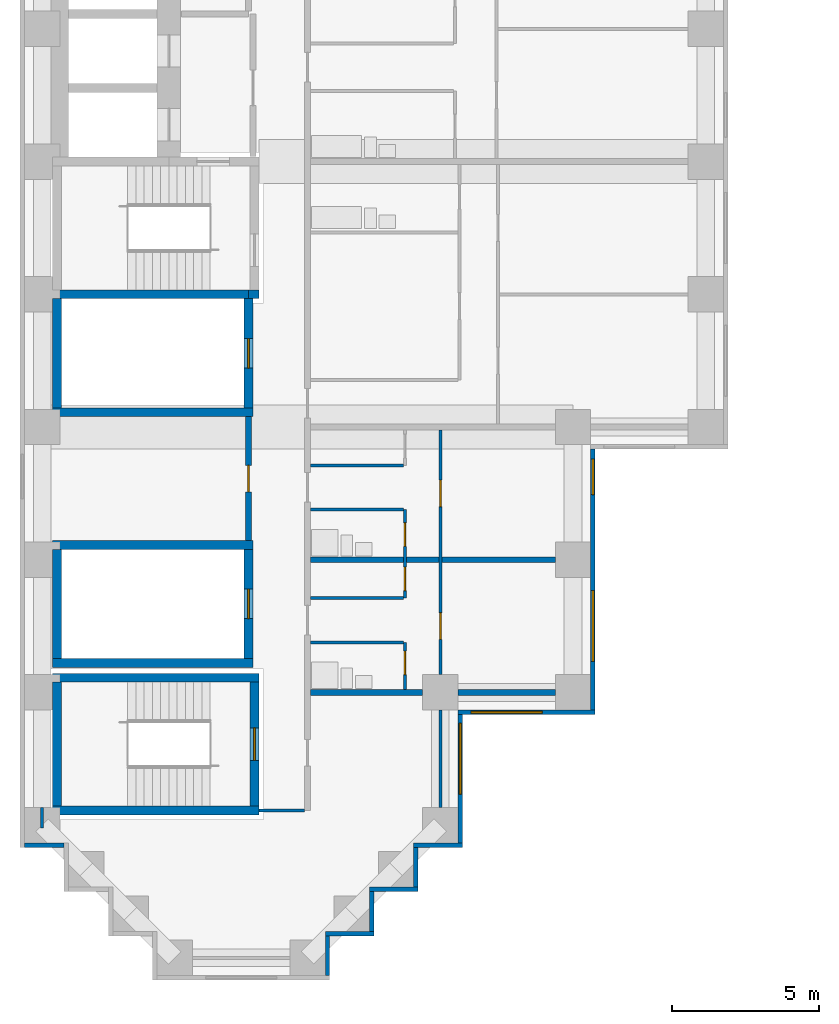
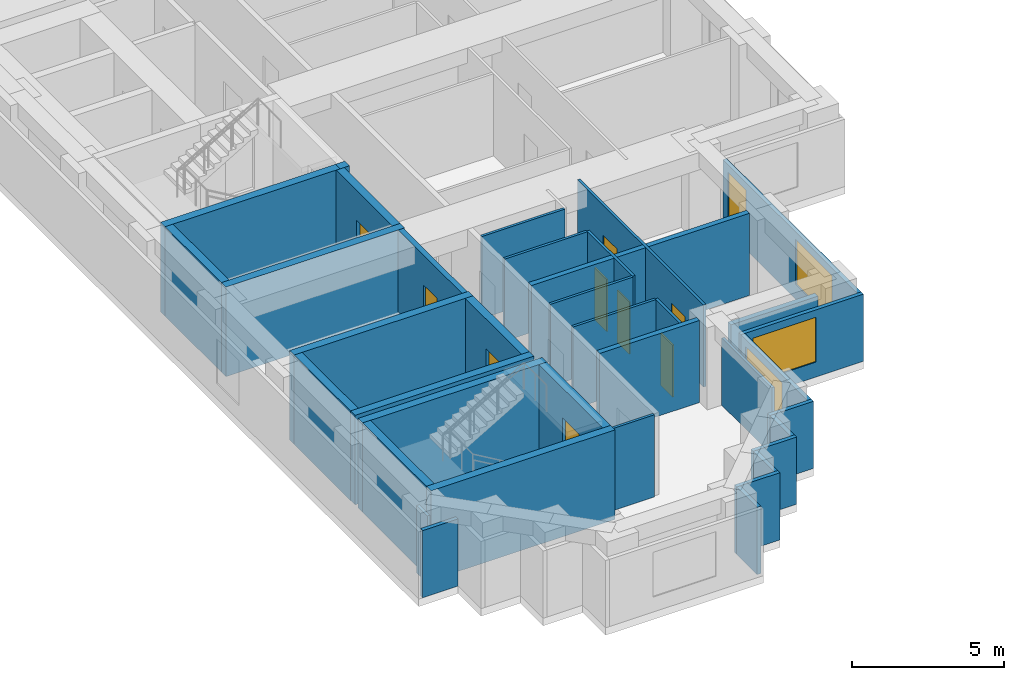
# One storey, part 4 of 14: 37 walls, 9 doors, 4 windows, 13 openings.
"""IFC4 building model written with IfcOpenShell, lengths in metres."""

from ifc_helpers import new_model, si_unit, direction, frame, frame_2d, origin, place, context, subcontext, project, spatial, rectangle, extrude, material, layer, layer_set, type_object, element, fill, save


model = new_model("IFC4")

# Units and contexts
model_context = context("Model", 3, precision=1e-05, world=origin(), true_north=direction((0.0, 1.0)))
body_context = subcontext(model_context, "Body", "Model", "MODEL_VIEW")
ifc_project = project(units=[si_unit("LENGTHUNIT", "METRE"), si_unit("AREAUNIT", "SQUARE_METRE"), si_unit("VOLUMEUNIT", "CUBIC_METRE"), si_unit("PLANEANGLEUNIT", "RADIAN"), si_unit("MASSUNIT", "GRAM", prefix="KILO")], contexts=[model_context])

# Site, building, storey
site_placement = place(None, origin())
site = spatial("IfcSite", under=ifc_project, at=site_placement, CompositionType="ELEMENT")
building_placement = place(site_placement, origin())
building = spatial("IfcBuilding", under=site, at=building_placement, Name="Firuza Court", CompositionType="ELEMENT")
storey_placement = place(building_placement, frame((0.0, 0.0, 32.60009765625)))
storey = spatial("IfcBuildingStorey", under=building, at=storey_placement, Name="L06", CompositionType="ELEMENT", Elevation=32.60009765625)

# Walls
ifc_material_1 = material(Name="Moisture-resistant gypsum board partition")
ifc_layer_1 = layer(ifc_material_1, 0.10009765625)
ifc_layer_set_1 = layer_set([ifc_layer_1], Name="Moisture-resistant gypsum board partition")
wall_type_1 = type_object("IfcWallType", Name="Bathroom partition 100", PredefinedType="PLUMBINGWALL", material=ifc_layer_set_1)
for number, where, z_axis, x_axis, name in (
    (1, (9.10009765625, 10.699951171875, 0.0), (0.0, 0.0, 1.0), (1.0, 0.0, 0.0), "Bathroom partition 100 L06"),
    (2, (9.10009765625, 15.199951171875, 0.0), (0.0, 0.0, 1.0), (1.0, 0.0, 0.0), "Bathroom partition 100 L06"),
):
    element("IfcWall", number, at=place(storey_placement, frame(where, z_axis=z_axis, x_axis=x_axis)), inside=storey, type_object=wall_type_1, Name=name, PredefinedType="PLUMBINGWALL", context=body_context, shape_type="SweptSolid", body=[
        extrude(rectangle(XDim=3.14990234375, YDim=0.10009765625, at=frame_2d((1.574951171875, 0.0))), origin(), (0.0, 0.0, 1.0), 3.2998046875),
    ])
ifc_material_2 = material(Name="Concrete C60/75", Category="concrete")
ifc_layer_2 = layer(ifc_material_2, 0.300048828125)
ifc_layer_set_2 = layer_set([ifc_layer_2], Name="Concrete C60/75")
wall_type_2 = type_object("IfcWallType", Name="Core wall 300 C60/75", PredefinedType="SHEAR", material=ifc_layer_set_2)
for number, where, z_axis, x_axis, name in (
    (3, (0.35009765625, 5.0, -0.300048828125), (0.0, 0.0, 1.0), (1.0, 0.0, 0.0), "Core wall stair L06"),
    (4, (0.35009765625, 9.5, -0.300048828125), (0.0, 0.0, 1.0), (1.0, 0.0, 0.0), "Core wall stair L06"),
):
    element("IfcWall", number, at=place(storey_placement, frame(where, z_axis=z_axis, x_axis=x_axis)), inside=storey, type_object=wall_type_2, Name=name, PredefinedType="SHEAR", context=body_context, shape_type="SweptSolid", body=[
        extrude(rectangle(XDim=7.0, YDim=0.300048828125, at=frame_2d((3.5, 0.0))), origin(), (0.0, 0.0, 1.0), 3.599853515625),
    ])
for number, where, z_axis, x_axis, name in (
    (5, (0.35009765625, 10.0, -0.300048828125), (0.0, 0.0, 1.0), (1.0, 0.0, 0.0), "Core wall riser L06"),
    (6, (0.35009765625, 14.0, -0.300048828125), (0.0, 0.0, 1.0), (1.0, 0.0, 0.0), "Core wall riser L06"),
    (7, (0.35009765625, 18.5, -0.300048828125), (0.0, 0.0, 1.0), (1.0, 0.0, 0.0), "Core wall riser L06"),
):
    element("IfcWall", number, at=place(storey_placement, frame(where, z_axis=z_axis, x_axis=x_axis)), inside=storey, type_object=wall_type_2, Name=name, PredefinedType="SHEAR", context=body_context, shape_type="SweptSolid", body=[
        extrude(rectangle(XDim=6.7998046875, YDim=0.300048828125, at=frame_2d((3.39990234375, 0.0))), origin(), (0.0, 0.0, 1.0), 3.599853515625),
    ])
wall_1_placement = place(storey_placement, frame((0.35009765625, 22.5, -0.300048828125), z_axis=(0.0, 0.0, 1.0), x_axis=(1.0, 0.0, 0.0)))
element("IfcWall", 8, at=wall_1_placement, inside=storey, type_object=wall_type_2, Name="Core wall riser L06", PredefinedType="SHEAR", context=body_context, shape_type="SweptSolid", body=[
    extrude(rectangle(XDim=6.64990234375, YDim=0.300048828125, at=frame_2d((3.324951171875, 0.0))), origin(), (0.0, 0.0, 1.0), 3.599853515625),
])
wall_2_placement = place(storey_placement, frame((0.5, 5.14990234375, -0.300048828125), z_axis=(0.0, 0.0, 1.0), x_axis=(0.0, 1.0, 0.0)))
element("IfcWall", 9, at=wall_2_placement, inside=storey, type_object=wall_type_2, Name="Core wall stair L06", PredefinedType="SHEAR", context=body_context, shape_type="SweptSolid", body=[
    extrude(rectangle(XDim=4.2001953125, YDim=0.300048828125, at=frame_2d((2.10009765625, 0.0))), origin(), (0.0, 0.0, 1.0), 3.599853515625),
])
for number, where, z_axis, x_axis, name in (
    (10, (0.5, 10.14990234375, -0.300048828125), (0.0, 0.0, 1.0), (0.0, 1.0, 0.0), "Core wall riser L06"),
    (11, (0.5, 18.64990234375, -0.300048828125), (0.0, 0.0, 1.0), (0.0, 1.0, 0.0), "Core wall riser L06"),
):
    element("IfcWall", number, at=place(storey_placement, frame(where, z_axis=z_axis, x_axis=x_axis)), inside=storey, type_object=wall_type_2, Name=name, PredefinedType="SHEAR", context=body_context, shape_type="SweptSolid", body=[
        extrude(rectangle(XDim=3.7001953125, YDim=0.300048828125, at=frame_2d((1.85009765625, 0.0))), origin(), (0.0, 0.0, 1.0), 3.599853515625),
    ])

# Wall, opening, door
wall_3_placement = place(storey_placement, frame((7.0, 10.14990234375, -0.300048828125), z_axis=(0.0, 0.0, 1.0), x_axis=(0.0, 1.0, 0.0)))
wall_3 = element("IfcWall", 12, at=wall_3_placement, inside=storey, type_object=wall_type_2, Name="Core wall riser L06", PredefinedType="SHEAR", context=body_context, shape_type="SweptSolid", body=[
    extrude(rectangle(XDim=3.7001953125, YDim=0.300048828125, at=frame_2d((1.85009765625, 0.0))), origin(), (0.0, 0.0, 1.0), 3.599853515625),
])
opening_1_placement = place(wall_3_placement, frame((1.35009765625, 0.0, 0.300048828125)))
opening_1 = element("IfcOpeningElement", 13, at=opening_1_placement, cuts=wall_3, Name="Opening D06012", PredefinedType="OPENING", context=body_context, shape_type="SweptSolid", body=[
    extrude(rectangle(XDim=1.0, YDim=2.10009765625, at=frame_2d((0.5, 1.050048828125))), frame((0.0, 0.162109375, 0.0), z_axis=(0.0, -1.0, 0.0), x_axis=(1.0, 0.0, 0.0)), (0.0, 0.0, 1.0), 0.323974609375),
])
ifc_material_3 = material(Name="Timber door leaf in hardwood frame", Category="wood")
door_type_1 = type_object("IfcDoorType", Name="Riser door 1000", OperationType="SINGLE_SWING_LEFT", PredefinedType="DOOR", material=ifc_material_3)
door_1_placement = place(opening_1_placement, origin())
door_1 = element("IfcDoor", 14, at=door_1_placement, inside=storey, type_object=door_type_1, Name="Riser door R4", OperationType="SINGLE_SWING_LEFT", OverallHeight=2.10009765625, OverallWidth=1.0, PredefinedType="DOOR", context=body_context, shape_type="SweptSolid", body=[
    extrude(rectangle(XDim=1.0, YDim=2.10009765625, at=frame_2d((0.5, 1.050048828125))), frame((0.0, 0.02490234375, 0.0), z_axis=(0.0, -1.0, 0.0), x_axis=(1.0, 0.0, 0.0)), (0.0, 0.0, 1.0), 0.050048828125),
])
fill(opening_1, door_1)

wall_4_placement = place(storey_placement, frame((7.0, 18.64990234375, -0.300048828125), z_axis=(0.0, 0.0, 1.0), x_axis=(0.0, 1.0, 0.0)))
wall_4 = element("IfcWall", 15, at=wall_4_placement, inside=storey, type_object=wall_type_2, Name="Core wall riser L06", PredefinedType="SHEAR", context=body_context, shape_type="SweptSolid", body=[
    extrude(rectangle(XDim=3.7001953125, YDim=0.300048828125, at=frame_2d((1.85009765625, 0.0))), origin(), (0.0, 0.0, 1.0), 3.599853515625),
])
opening_2_placement = place(wall_4_placement, frame((1.35009765625, 0.0, 0.300048828125)))
opening_2 = element("IfcOpeningElement", 16, at=opening_2_placement, cuts=wall_4, Name="Opening D06010", PredefinedType="OPENING", context=body_context, shape_type="SweptSolid", body=[
    extrude(rectangle(XDim=1.0, YDim=2.10009765625, at=frame_2d((0.5, 1.050048828125))), frame((0.0, 0.162109375, 0.0), z_axis=(0.0, -1.0, 0.0), x_axis=(1.0, 0.0, 0.0)), (0.0, 0.0, 1.0), 0.323974609375),
])
door_2_placement = place(opening_2_placement, origin())
door_2 = element("IfcDoor", 17, at=door_2_placement, inside=storey, type_object=door_type_1, Name="Riser door R1", OperationType="SINGLE_SWING_LEFT", OverallHeight=2.10009765625, OverallWidth=1.0, PredefinedType="DOOR", context=body_context, shape_type="SweptSolid", body=[
    extrude(rectangle(XDim=1.0, YDim=2.10009765625, at=frame_2d((0.5, 1.050048828125))), frame((0.0, 0.02490234375, 0.0), z_axis=(0.0, -1.0, 0.0), x_axis=(1.0, 0.0, 0.0)), (0.0, 0.0, 1.0), 0.050048828125),
])
fill(opening_2, door_2)

# Wall
wall_5_placement = place(storey_placement, frame((7.0, 22.5, -0.300048828125), z_axis=(0.0, 0.0, 1.0), x_axis=(1.0, 0.0, 0.0)))
element("IfcWall", 18, at=wall_5_placement, inside=storey, type_object=wall_type_2, Name="Core wall stair L06", PredefinedType="SHEAR", context=body_context, shape_type="SweptSolid", body=[
    extrude(rectangle(XDim=0.35009765625, YDim=0.300048828125, at=frame_2d((0.175048828125, 0.0))), origin(), (0.0, 0.0, 1.0), 3.599853515625),
])

# Wall, opening, door
wall_6_placement = place(storey_placement, frame((7.199951171875, 5.14990234375, -0.300048828125), z_axis=(0.0, 0.0, 1.0), x_axis=(0.0, 1.0, 0.0)))
wall_6 = element("IfcWall", 19, at=wall_6_placement, inside=storey, type_object=wall_type_2, Name="Core wall stair L06", PredefinedType="SHEAR", context=body_context, shape_type="SweptSolid", body=[
    extrude(rectangle(XDim=4.2001953125, YDim=0.300048828125, at=frame_2d((2.10009765625, 0.0))), origin(), (0.0, 0.0, 1.0), 3.599853515625),
])
opening_3_placement = place(wall_6_placement, frame((1.550048828125, 0.0, 0.300048828125)))
opening_3 = element("IfcOpeningElement", 20, at=opening_3_placement, cuts=wall_6, Name="Opening D06018", PredefinedType="OPENING", context=body_context, shape_type="SweptSolid", body=[
    extrude(rectangle(XDim=1.10009765625, YDim=2.10009765625, at=frame_2d((0.550048828125, 1.050048828125))), frame((0.0, 0.162109375, 0.0), z_axis=(0.0, -1.0, 0.0), x_axis=(1.0, 0.0, 0.0)), (0.0, 0.0, 1.0), 0.323974609375),
])
ifc_material_4 = material(Name="Timber door leaf in hardwood frame", Category="wood")
door_type_2 = type_object("IfcDoorType", Name="Stair door 1100", OperationType="SINGLE_SWING_LEFT", PredefinedType="DOOR", material=ifc_material_4)
door_3_placement = place(opening_3_placement, origin())
door_3 = element("IfcDoor", 21, at=door_3_placement, inside=storey, type_object=door_type_2, Name="Stair door S5", OperationType="SINGLE_SWING_LEFT", OverallHeight=2.10009765625, OverallWidth=1.10009765625, PredefinedType="DOOR", context=body_context, shape_type="SweptSolid", body=[
    extrude(rectangle(XDim=1.10009765625, YDim=2.10009765625, at=frame_2d((0.550048828125, 1.050048828125))), frame((0.0, 0.02490234375, 0.0), z_axis=(0.0, -1.0, 0.0), x_axis=(1.0, 0.0, 0.0)), (0.0, 0.0, 1.0), 0.050048828125),
])
fill(opening_3, door_3)

ifc_material_5 = material(Name="Blockwork, plastered both sides", Category="masonry")
ifc_layer_3 = layer(ifc_material_5, 0.199951171875)
ifc_layer_set_3 = layer_set([ifc_layer_3], Name="Blockwork, plastered both sides")
wall_type_3 = type_object("IfcWallType", Name="Corridor wall 200", PredefinedType="PARTITIONING", material=ifc_layer_set_3)
wall_7_placement = place(storey_placement, frame((7.0, 14.14990234375, 0.0), z_axis=(0.0, 0.0, 1.0), x_axis=(0.0, 1.0, 0.0)))
wall_7 = element("IfcWall", 22, at=wall_7_placement, inside=storey, type_object=wall_type_3, Name="Corridor wall 200 L06", PredefinedType="PARTITIONING", context=body_context, shape_type="SweptSolid", body=[
    extrude(rectangle(XDim=4.2001953125, YDim=0.199951171875, at=frame_2d((2.10009765625, 0.0))), origin(), (0.0, 0.0, 1.0), 3.2998046875),
])
opening_4_placement = place(wall_7_placement, frame((1.64990234375, 0.0, 0.0)))
opening_4 = element("IfcOpeningElement", 23, at=opening_4_placement, cuts=wall_7, Name="Opening D06030", PredefinedType="OPENING", context=body_context, shape_type="SweptSolid", body=[
    extrude(rectangle(XDim=0.89990234375, YDim=2.10009765625, at=frame_2d((0.449951171875, 1.050048828125))), frame((0.0, 0.11181640625, 0.0), z_axis=(0.0, -1.0, 0.0), x_axis=(1.0, 0.0, 0.0)), (0.0, 0.0, 1.0), 0.223876953125),
])
ifc_material_6 = material(Name="Timber door leaf in hardwood frame", Category="wood")
door_type_3 = type_object("IfcDoorType", Name="Room door 900 EI 30", OperationType="SINGLE_SWING_LEFT", PredefinedType="DOOR", material=ifc_material_6)
door_4_placement = place(opening_4_placement, origin())
door_4 = element("IfcDoor", 24, at=door_4_placement, inside=storey, type_object=door_type_3, Name="Meeting room door", OperationType="SINGLE_SWING_LEFT", OverallHeight=2.10009765625, OverallWidth=0.89990234375, PredefinedType="DOOR", context=body_context, shape_type="SweptSolid", body=[
    extrude(rectangle(XDim=0.89990234375, YDim=2.10009765625, at=frame_2d((0.449951171875, 1.050048828125))), frame((0.0, 0.02490234375, 0.0), z_axis=(0.0, -1.0, 0.0), x_axis=(1.0, 0.0, 0.0)), (0.0, 0.0, 1.0), 0.050048828125),
])
fill(opening_4, door_4)

# Walls
ifc_material_7 = material(Name="Timber stud partition, plasterboard both sides", Category="wood")
ifc_layer_4 = layer(ifc_material_7, 0.10009765625)
ifc_layer_set_4 = layer_set([ifc_layer_4], Name="Timber stud partition, plasterboard both sides")
wall_type_4 = type_object("IfcWallType", Name="Partition wall 100", PredefinedType="PARTITIONING", material=ifc_layer_set_4)
wall_8_placement = place(storey_placement, frame((0.0, 4.39990234375, 0.0), z_axis=(0.0, 0.0, 1.0), x_axis=(0.0, 1.0, 0.0)))
element("IfcWall", 25, at=wall_8_placement, inside=storey, type_object=wall_type_4, Name="Partition wall 100 L06", PredefinedType="PARTITIONING", context=body_context, shape_type="SweptSolid", body=[
    extrude(rectangle(XDim=0.7001953125, YDim=0.10009765625, at=frame_2d((0.35009765625, 0.0))), origin(), (0.0, 0.0, 1.0), 2.699951171875),
])
wall_9_placement = place(storey_placement, frame((7.34912109375, 5.0, 0.0), z_axis=(0.0, 0.0, 1.0), x_axis=(1.0, 0.0, 0.0)))
element("IfcWall", 26, at=wall_9_placement, inside=storey, type_object=wall_type_4, Name="Partition wall 100 L06", PredefinedType="PARTITIONING", context=body_context, shape_type="SweptSolid", body=[
    extrude(rectangle(XDim=1.55078125, YDim=0.10009765625, at=frame_2d((0.775390625, 0.0))), origin(), (0.0, 0.0, 1.0), 3.2998046875),
])
wall_10_placement = place(storey_placement, frame((13.5, 5.10009765625, 0.0), z_axis=(0.0, 0.0, 1.0), x_axis=(0.0, 1.0, 0.0)))
element("IfcWall", 27, at=wall_10_placement, inside=storey, type_object=wall_type_4, Name="Partition wall 100 L06", PredefinedType="PARTITIONING", context=body_context, shape_type="SweptSolid", body=[
    extrude(rectangle(XDim=3.2998046875, YDim=0.10009765625, at=frame_2d((1.64990234375, 0.0))), origin(), (0.0, 0.0, 1.0), 2.699951171875),
])

# Wall, opening, door
wall_11_placement = place(storey_placement, frame((12.300048828125, 9.10009765625, 0.0), z_axis=(0.0, 0.0, 1.0), x_axis=(0.0, 1.0, 0.0)))
wall_11 = element("IfcWall", 28, at=wall_11_placement, inside=storey, type_object=wall_type_4, Name="Partition wall 100 L06", PredefinedType="PARTITIONING", context=body_context, shape_type="SweptSolid", body=[
    extrude(rectangle(XDim=1.599853515625, YDim=0.10009765625, at=frame_2d((0.7998046875, 0.0))), origin(), (0.0, 0.0, 1.0), 3.2998046875),
])
opening_5_placement = place(wall_11_placement, frame((0.5, 0.0, 0.0)))
opening_5 = element("IfcOpeningElement", 29, at=opening_5_placement, cuts=wall_11, Name="Opening D06025", PredefinedType="OPENING", context=body_context, shape_type="SweptSolid", body=[
    extrude(rectangle(XDim=0.800048828125, YDim=2.10009765625, at=frame_2d((0.39990234375, 1.050048828125))), frame((0.0, 0.06201171875, 0.0), z_axis=(0.0, -1.0, 0.0), x_axis=(1.0, 0.0, 0.0)), (0.0, 0.0, 1.0), 0.1240234375),
])
ifc_material_8 = material(Name="Timber door leaf in hardwood frame", Category="wood")
door_type_4 = type_object("IfcDoorType", Name="Bathroom door 800", OperationType="SINGLE_SWING_LEFT", PredefinedType="DOOR", material=ifc_material_8)
door_5_placement = place(opening_5_placement, origin())
door_5 = element("IfcDoor", 30, at=door_5_placement, inside=storey, type_object=door_type_4, Name="Bathroom door", OperationType="SINGLE_SWING_RIGHT", OverallHeight=2.10009765625, OverallWidth=0.800048828125, PredefinedType="DOOR", context=body_context, shape_type="SweptSolid", body=[
    extrude(rectangle(XDim=0.800048828125, YDim=2.10009765625, at=frame_2d((0.39990234375, 1.050048828125))), frame((0.0, 0.02490234375, 0.0), z_axis=(0.0, -1.0, 0.0), x_axis=(1.0, 0.0, 0.0)), (0.0, 0.0, 1.0), 0.050048828125),
])
fill(opening_5, door_5)

# Wall, openings, doors
wall_12_placement = place(storey_placement, frame((13.5, 9.60009765625, 0.0), z_axis=(0.0, 0.0, 1.0), x_axis=(0.0, 1.0, 0.0)))
wall_12 = element("IfcWall", 31, at=wall_12_placement, inside=storey, type_object=wall_type_4, Name="Partition wall 100 L06", PredefinedType="PARTITIONING", context=body_context, shape_type="SweptSolid", body=[
    extrude(rectangle(XDim=8.2998046875, YDim=0.10009765625, at=frame_2d((4.14990234375, 0.0))), origin(), (0.0, 0.0, 1.0), 3.2998046875),
])
opening_6_placement = place(wall_12_placement, frame((5.699951171875, 0.0, 0.0)))
opening_6 = element("IfcOpeningElement", 32, at=opening_6_placement, cuts=wall_12, Name="Opening D06026", PredefinedType="OPENING", context=body_context, shape_type="SweptSolid", body=[
    extrude(rectangle(XDim=0.89990234375, YDim=2.10009765625, at=frame_2d((0.449951171875, 1.050048828125))), frame((0.0, 0.06201171875, 0.0), z_axis=(0.0, -1.0, 0.0), x_axis=(1.0, 0.0, 0.0)), (0.0, 0.0, 1.0), 0.1240234375),
])
opening_7_placement = place(wall_12_placement, frame((1.199951171875, 0.0, 0.0)))
opening_7 = element("IfcOpeningElement", 33, at=opening_7_placement, cuts=wall_12, Name="Opening D06027", PredefinedType="OPENING", context=body_context, shape_type="SweptSolid", body=[
    extrude(rectangle(XDim=0.89990234375, YDim=2.10009765625, at=frame_2d((0.449951171875, 1.050048828125))), frame((0.0, 0.06201171875, 0.0), z_axis=(0.0, -1.0, 0.0), x_axis=(1.0, 0.0, 0.0)), (0.0, 0.0, 1.0), 0.1240234375),
])
ifc_material_9 = material(Name="Timber door leaf in hardwood frame", Category="wood")
door_type_5 = type_object("IfcDoorType", Name="Room door 900", OperationType="SINGLE_SWING_LEFT", PredefinedType="DOOR", material=ifc_material_9)
door_6_placement = place(opening_6_placement, frame((0.89990234375, 0.0, 0.0), z_axis=(0.0, 0.0, 1.0), x_axis=(-1.0, 0.0, 0.0)))
door_6 = element("IfcDoor", 34, at=door_6_placement, inside=storey, type_object=door_type_5, Name="Studio room door", OperationType="SINGLE_SWING_RIGHT", OverallHeight=2.10009765625, OverallWidth=0.89990234375, PredefinedType="DOOR", context=body_context, shape_type="SweptSolid", body=[
    extrude(rectangle(XDim=0.89990234375, YDim=2.10009765625, at=frame_2d((0.449951171875, 1.050048828125))), frame((0.0, 0.02490234375, 0.0), z_axis=(0.0, -1.0, 0.0), x_axis=(1.0, 0.0, 0.0)), (0.0, 0.0, 1.0), 0.050048828125),
])
fill(opening_6, door_6)
door_7_placement = place(opening_7_placement, frame((0.89990234375, 0.0, 0.0), z_axis=(0.0, 0.0, 1.0), x_axis=(-1.0, 0.0, 0.0)))
door_7 = element("IfcDoor", 35, at=door_7_placement, inside=storey, type_object=door_type_5, Name="Studio room door", OperationType="SINGLE_SWING_RIGHT", OverallHeight=2.10009765625, OverallWidth=0.89990234375, PredefinedType="DOOR", context=body_context, shape_type="SweptSolid", body=[
    extrude(rectangle(XDim=0.89990234375, YDim=2.10009765625, at=frame_2d((0.449951171875, 1.050048828125))), frame((0.0, 0.02490234375, 0.0), z_axis=(0.0, -1.0, 0.0), x_axis=(1.0, 0.0, 0.0)), (0.0, 0.0, 1.0), 0.050048828125),
])
fill(opening_7, door_7)

# Wall
wall_13_placement = place(storey_placement, frame((9.10009765625, 12.199951171875, 0.0), z_axis=(0.0, 0.0, 1.0), x_axis=(1.0, 0.0, 0.0)))
element("IfcWall", 36, at=wall_13_placement, inside=storey, type_object=wall_type_4, Name="Partition wall 100 L06", PredefinedType="PARTITIONING", context=body_context, shape_type="SweptSolid", body=[
    extrude(rectangle(XDim=3.14990234375, YDim=0.10009765625, at=frame_2d((1.574951171875, 0.0))), origin(), (0.0, 0.0, 1.0), 3.2998046875),
])

# Wall, openings, doors
wall_14_placement = place(storey_placement, frame((12.300048828125, 12.199951171875, 0.0), z_axis=(0.0, 0.0, 1.0), x_axis=(0.0, 1.0, 0.0)))
wall_14 = element("IfcWall", 37, at=wall_14_placement, inside=storey, type_object=wall_type_4, Name="Partition wall 100 L06", PredefinedType="PARTITIONING", context=body_context, shape_type="SweptSolid", body=[
    extrude(rectangle(XDim=3.0, YDim=0.10009765625, at=frame_2d((1.5, 0.0))), origin(), (0.0, 0.0, 1.0), 3.2998046875),
])
opening_8_placement = place(wall_14_placement, frame((1.75, 0.0, 0.0)))
opening_8 = element("IfcOpeningElement", 38, at=opening_8_placement, cuts=wall_14, Name="Opening D06028", PredefinedType="OPENING", context=body_context, shape_type="SweptSolid", body=[
    extrude(rectangle(XDim=0.800048828125, YDim=2.10009765625, at=frame_2d((0.39990234375, 1.050048828125))), frame((0.0, 0.06201171875, 0.0), z_axis=(0.0, -1.0, 0.0), x_axis=(1.0, 0.0, 0.0)), (0.0, 0.0, 1.0), 0.1240234375),
])
opening_9_placement = place(wall_14_placement, frame((0.25, 0.0, 0.0)))
opening_9 = element("IfcOpeningElement", 39, at=opening_9_placement, cuts=wall_14, Name="Opening D06029", PredefinedType="OPENING", context=body_context, shape_type="SweptSolid", body=[
    extrude(rectangle(XDim=0.800048828125, YDim=2.10009765625, at=frame_2d((0.39990234375, 1.050048828125))), frame((0.0, 0.06201171875, 0.0), z_axis=(0.0, -1.0, 0.0), x_axis=(1.0, 0.0, 0.0)), (0.0, 0.0, 1.0), 0.1240234375),
])
door_8_placement = place(opening_8_placement, origin())
door_8 = element("IfcDoor", 40, at=door_8_placement, inside=storey, type_object=door_type_4, Name="Bathroom door", OperationType="SINGLE_SWING_LEFT", OverallHeight=2.10009765625, OverallWidth=0.800048828125, PredefinedType="DOOR", context=body_context, shape_type="SweptSolid", body=[
    extrude(rectangle(XDim=0.800048828125, YDim=2.10009765625, at=frame_2d((0.39990234375, 1.050048828125))), frame((0.0, 0.02490234375, 0.0), z_axis=(0.0, -1.0, 0.0), x_axis=(1.0, 0.0, 0.0)), (0.0, 0.0, 1.0), 0.050048828125),
])
fill(opening_8, door_8)
ifc_material_10 = material(Name="Timber door leaf in hardwood frame", Category="wood")
door_type_6 = type_object("IfcDoorType", Name="Room door 800", OperationType="SINGLE_SWING_LEFT", PredefinedType="DOOR", material=ifc_material_10)
door_9_placement = place(opening_9_placement, origin())
door_9 = element("IfcDoor", 41, at=door_9_placement, inside=storey, type_object=door_type_6, Name="Kitchen door", OperationType="SINGLE_SWING_LEFT", OverallHeight=2.10009765625, OverallWidth=0.800048828125, PredefinedType="DOOR", context=body_context, shape_type="SweptSolid", body=[
    extrude(rectangle(XDim=0.800048828125, YDim=2.10009765625, at=frame_2d((0.39990234375, 1.050048828125))), frame((0.0, 0.02490234375, 0.0), z_axis=(0.0, -1.0, 0.0), x_axis=(1.0, 0.0, 0.0)), (0.0, 0.0, 1.0), 0.050048828125),
])
fill(opening_9, door_9)

# Walls
wall_15_placement = place(storey_placement, frame((9.10009765625, 16.699951171875, 0.0), z_axis=(0.0, 0.0, 1.0), x_axis=(1.0, 0.0, 0.0)))
element("IfcWall", 42, at=wall_15_placement, inside=storey, type_object=wall_type_4, Name="Partition wall 100 L06", PredefinedType="PARTITIONING", context=body_context, shape_type="SweptSolid", body=[
    extrude(rectangle(XDim=3.14990234375, YDim=0.10009765625, at=frame_2d((1.574951171875, 0.0))), origin(), (0.0, 0.0, 1.0), 3.2998046875),
])
ifc_layer_5 = layer(ifc_material_5, 0.199951171875)
ifc_layer_set_5 = layer_set([ifc_layer_5], Name="Blockwork, plastered both sides")
wall_type_5 = type_object("IfcWallType", Name="Party wall 200", PredefinedType="PARTITIONING", material=ifc_layer_set_5)
wall_16_placement = place(storey_placement, frame((9.10009765625, 9.0, 0.0), z_axis=(0.0, 0.0, 1.0), x_axis=(1.0, 0.0, 0.0)))
element("IfcWall", 43, at=wall_16_placement, inside=storey, type_object=wall_type_5, Name="Party wall 200 L06", PredefinedType="PARTITIONING", context=body_context, shape_type="SweptSolid", body=[
    extrude(rectangle(XDim=3.7998046875, YDim=0.199951171875, at=frame_2d((1.89990234375, 0.0))), origin(), (0.0, 0.0, 1.0), 3.2998046875),
])
wall_17_placement = place(storey_placement, frame((14.10009765625, 9.0, 0.0), z_axis=(0.0, 0.0, 1.0), x_axis=(1.0, 0.0, 0.0)))
element("IfcWall", 44, at=wall_17_placement, inside=storey, type_object=wall_type_5, Name="Party wall 200 L06", PredefinedType="PARTITIONING", context=body_context, shape_type="SweptSolid", body=[
    extrude(rectangle(XDim=3.2998046875, YDim=0.199951171875, at=frame_2d((1.64990234375, 0.0))), origin(), (0.0, 0.0, 1.0), 2.699951171875),
])
wall_18_placement = place(storey_placement, frame((9.10009765625, 13.5, 0.0), z_axis=(0.0, 0.0, 1.0), x_axis=(1.0, 0.0, 0.0)))
element("IfcWall", 45, at=wall_18_placement, inside=storey, type_object=wall_type_5, Name="Party wall 200 L06", PredefinedType="PARTITIONING", context=body_context, shape_type="SweptSolid", body=[
    extrude(rectangle(XDim=8.2998046875, YDim=0.199951171875, at=frame_2d((4.14990234375, 0.0))), origin(), (0.0, 0.0, 1.0), 3.2998046875),
])
ifc_material_11 = material(Name="Ceramic tile", Category="ceramic")
ifc_layer_6 = layer(ifc_material_11, 0.02001953125)
ifc_material_12 = material(Name="Mineral wool insulation", Category="insulation")
ifc_layer_7 = layer(ifc_material_12, 0.050048828125)
ifc_material_13 = material(Name="Concrete C40/50 precast", Category="concrete")
ifc_layer_8 = layer(ifc_material_13, 0.080078125)
ifc_layer_set_6 = layer_set([ifc_layer_6, ifc_layer_7, ifc_layer_8], Name="Concrete C40/50 precast")
wall_type_6 = type_object("IfcWallType", Name="Precast cladding wall with turquoise TILE PANEL face 150", PredefinedType="STANDARD", material=ifc_layer_set_6)
wall_19_placement = place(storey_placement, frame((9.675048828125, -0.60009765625, 0.0), z_axis=(0.0, 0.0, 1.0), x_axis=(0.0, 1.0, 0.0)))
element("IfcWall", 46, at=wall_19_placement, inside=storey, type_object=wall_type_6, Name="Facade wall L06 E", PredefinedType="STANDARD", context=body_context, shape_type="SweptSolid", body=[
    extrude(rectangle(XDim=1.35009765625, YDim=0.14990234375, at=frame_2d((0.675048828125, 0.0))), origin(), (0.0, 0.0, 1.0), 2.699951171875),
])
wall_20_placement = place(storey_placement, frame((9.60009765625, 0.824951171875, 0.0), z_axis=(0.0, 0.0, 1.0), x_axis=(1.0, 0.0, 0.0)))
element("IfcWall", 47, at=wall_20_placement, inside=storey, type_object=wall_type_6, Name="Facade wall L06 S", PredefinedType="STANDARD", context=body_context, shape_type="SweptSolid", body=[
    extrude(rectangle(XDim=1.64990234375, YDim=0.14990234375, at=frame_2d((0.824951171875, 0.0))), origin(), (0.0, 0.0, 1.0), 2.699951171875),
])
wall_21_placement = place(storey_placement, frame((11.175048828125, 0.89990234375, 0.0), z_axis=(0.0, 0.0, 1.0), x_axis=(0.0, 1.0, 0.0)))
element("IfcWall", 48, at=wall_21_placement, inside=storey, type_object=wall_type_6, Name="Facade wall L06 E", PredefinedType="STANDARD", context=body_context, shape_type="SweptSolid", body=[
    extrude(rectangle(XDim=1.35009765625, YDim=0.14990234375, at=frame_2d((0.675048828125, 0.0))), origin(), (0.0, 0.0, 1.0), 2.699951171875),
])
wall_22_placement = place(storey_placement, frame((11.10009765625, 2.324951171875, 0.0), z_axis=(0.0, 0.0, 1.0), x_axis=(1.0, 0.0, 0.0)))
element("IfcWall", 49, at=wall_22_placement, inside=storey, type_object=wall_type_6, Name="Facade wall L06 S", PredefinedType="STANDARD", context=body_context, shape_type="SweptSolid", body=[
    extrude(rectangle(XDim=1.64990234375, YDim=0.14990234375, at=frame_2d((0.824951171875, 0.0))), origin(), (0.0, 0.0, 1.0), 2.699951171875),
])
wall_23_placement = place(storey_placement, frame((12.675048828125, 2.39990234375, 0.0), z_axis=(0.0, 0.0, 1.0), x_axis=(0.0, 1.0, 0.0)))
element("IfcWall", 50, at=wall_23_placement, inside=storey, type_object=wall_type_6, Name="Facade wall L06 E", PredefinedType="STANDARD", context=body_context, shape_type="SweptSolid", body=[
    extrude(rectangle(XDim=1.35009765625, YDim=0.14990234375, at=frame_2d((0.675048828125, 0.0))), origin(), (0.0, 0.0, 1.0), 2.699951171875),
])
wall_24_placement = place(storey_placement, frame((12.60009765625, 3.824951171875, 0.0), z_axis=(0.0, 0.0, 1.0), x_axis=(1.0, 0.0, 0.0)))
element("IfcWall", 51, at=wall_24_placement, inside=storey, type_object=wall_type_6, Name="Facade wall L06 S", PredefinedType="STANDARD", context=body_context, shape_type="SweptSolid", body=[
    extrude(rectangle(XDim=1.64990234375, YDim=0.14990234375, at=frame_2d((0.824951171875, 0.0))), origin(), (0.0, 0.0, 1.0), 2.699951171875),
])

# Wall, opening, window
wall_25_placement = place(storey_placement, frame((14.175048828125, 3.89990234375, 0.0), z_axis=(0.0, 0.0, 1.0), x_axis=(0.0, 1.0, 0.0)))
wall_25 = element("IfcWall", 52, at=wall_25_placement, inside=storey, type_object=wall_type_6, Name="Facade wall L06 E", PredefinedType="STANDARD", context=body_context, shape_type="SweptSolid", body=[
    extrude(rectangle(XDim=4.35009765625, YDim=0.14990234375, at=frame_2d((2.175048828125, 0.0))), origin(), (0.0, 0.0, 1.0), 2.699951171875),
])
opening_10_placement = place(wall_25_placement, frame((1.64990234375, 0.0, 0.60009765625)))
opening_10 = element("IfcOpeningElement", 53, at=opening_10_placement, cuts=wall_25, Name="Opening W1", PredefinedType="OPENING", context=body_context, shape_type="SweptSolid", body=[
    extrude(rectangle(XDim=2.39990234375, YDim=1.800048828125, at=frame_2d((1.199951171875, 0.89990234375))), frame((0.0, 0.0869140625, 0.0), z_axis=(0.0, -1.0, 0.0), x_axis=(1.0, 0.0, 0.0)), (0.0, 0.0, 1.0), 0.173828125),
])
ifc_material_14 = material(Name="Aluminium frame, triple clear glazing", Category="aluminium")
window_type_1 = type_object("IfcWindowType", Name="Window W1 2400 x 1800", PartitioningType="SINGLE_PANEL", PredefinedType="WINDOW", material=ifc_material_14)
window_1_placement = place(opening_10_placement, origin())
window_1 = element("IfcWindow", 54, at=window_1_placement, inside=storey, type_object=window_type_1, Name="Window L06", OverallHeight=1.800048828125, OverallWidth=2.39990234375, PartitioningType="SINGLE_PANEL", PredefinedType="WINDOW", context=body_context, shape_type="SweptSolid", body=[
    extrude(rectangle(XDim=2.39990234375, YDim=1.800048828125, at=frame_2d((1.199951171875, 0.89990234375))), frame((0.0, 0.030029296875, 0.0), z_axis=(0.0, -1.0, 0.0), x_axis=(1.0, 0.0, 0.0)), (0.0, 0.0, 1.0), 0.06005859375),
])
fill(opening_10, window_1)

wall_26_placement = place(storey_placement, frame((14.10009765625, 8.324951171875, 0.0), z_axis=(0.0, 0.0, 1.0), x_axis=(1.0, 0.0, 0.0)))
wall_26 = element("IfcWall", 55, at=wall_26_placement, inside=storey, type_object=wall_type_6, Name="Facade wall L06 S", PredefinedType="STANDARD", context=body_context, shape_type="SweptSolid", body=[
    extrude(rectangle(XDim=4.64990234375, YDim=0.14990234375, at=frame_2d((2.324951171875, 0.0))), origin(), (0.0, 0.0, 1.0), 2.699951171875),
])
opening_11_placement = place(wall_26_placement, frame((0.449951171875, 0.0, 0.60009765625)))
opening_11 = element("IfcOpeningElement", 56, at=opening_11_placement, cuts=wall_26, Name="Opening W1", PredefinedType="OPENING", context=body_context, shape_type="SweptSolid", body=[
    extrude(rectangle(XDim=2.39990234375, YDim=1.800048828125, at=frame_2d((1.199951171875, 0.89990234375))), frame((0.0, 0.0869140625, 0.0), z_axis=(0.0, -1.0, 0.0), x_axis=(1.0, 0.0, 0.0)), (0.0, 0.0, 1.0), 0.173828125),
])
window_2_placement = place(opening_11_placement, origin())
window_2 = element("IfcWindow", 57, at=window_2_placement, inside=storey, type_object=window_type_1, Name="Window L06", OverallHeight=1.800048828125, OverallWidth=2.39990234375, PartitioningType="SINGLE_PANEL", PredefinedType="WINDOW", context=body_context, shape_type="SweptSolid", body=[
    extrude(rectangle(XDim=2.39990234375, YDim=1.800048828125, at=frame_2d((1.199951171875, 0.89990234375))), frame((0.0, 0.030029296875, 0.0), z_axis=(0.0, -1.0, 0.0), x_axis=(1.0, 0.0, 0.0)), (0.0, 0.0, 1.0), 0.06005859375),
])
fill(opening_11, window_2)

# Wall, openings, windows
wall_27_placement = place(storey_placement, frame((18.675048828125, 8.39990234375, 0.0), z_axis=(0.0, 0.0, 1.0), x_axis=(0.0, 1.0, 0.0)))
wall_27 = element("IfcWall", 58, at=wall_27_placement, inside=storey, type_object=wall_type_6, Name="Facade wall L06 E", PredefinedType="STANDARD", context=body_context, shape_type="SweptSolid", body=[
    extrude(rectangle(XDim=8.85009765625, YDim=0.14990234375, at=frame_2d((4.425048828125, 0.0))), origin(), (0.0, 0.0, 1.0), 2.699951171875),
])
opening_12_placement = place(wall_27_placement, frame((1.64990234375, 0.0, 0.60009765625)))
opening_12 = element("IfcOpeningElement", 59, at=opening_12_placement, cuts=wall_27, Name="Opening W1", PredefinedType="OPENING", context=body_context, shape_type="SweptSolid", body=[
    extrude(rectangle(XDim=2.39990234375, YDim=1.800048828125, at=frame_2d((1.199951171875, 0.89990234375))), frame((0.0, 0.0869140625, 0.0), z_axis=(0.0, -1.0, 0.0), x_axis=(1.0, 0.0, 0.0)), (0.0, 0.0, 1.0), 0.173828125),
])
opening_13_placement = place(wall_27_placement, frame((7.309326171875, 0.0, 0.60009765625)))
opening_13 = element("IfcOpeningElement", 60, at=opening_13_placement, cuts=wall_27, Name="Opening W8", PredefinedType="OPENING", context=body_context, shape_type="SweptSolid", body=[
    extrude(rectangle(XDim=1.199951171875, YDim=1.800048828125, at=frame_2d((0.60009765625, 0.89990234375))), frame((0.0, 0.0869140625, 0.0), z_axis=(0.0, -1.0, 0.0), x_axis=(1.0, 0.0, 0.0)), (0.0, 0.0, 1.0), 0.173828125),
])
window_3_placement = place(opening_12_placement, origin())
window_3 = element("IfcWindow", 61, at=window_3_placement, inside=storey, type_object=window_type_1, Name="Window L06", OverallHeight=1.800048828125, OverallWidth=2.39990234375, PartitioningType="SINGLE_PANEL", PredefinedType="WINDOW", context=body_context, shape_type="SweptSolid", body=[
    extrude(rectangle(XDim=2.39990234375, YDim=1.800048828125, at=frame_2d((1.199951171875, 0.89990234375))), frame((0.0, 0.030029296875, 0.0), z_axis=(0.0, -1.0, 0.0), x_axis=(1.0, 0.0, 0.0)), (0.0, 0.0, 1.0), 0.06005859375),
])
fill(opening_12, window_3)
ifc_material_15 = material(Name="Aluminium frame, triple clear glazing", Category="aluminium")
window_type_2 = type_object("IfcWindowType", Name="Window W8 1200 x 1800", PartitioningType="SINGLE_PANEL", PredefinedType="WINDOW", material=ifc_material_15)
window_4_placement = place(opening_13_placement, origin())
window_4 = element("IfcWindow", 62, at=window_4_placement, inside=storey, type_object=window_type_2, Name="Window L06", OverallHeight=1.800048828125, OverallWidth=1.199951171875, PartitioningType="SINGLE_PANEL", PredefinedType="WINDOW", context=body_context, shape_type="SweptSolid", body=[
    extrude(rectangle(XDim=1.199951171875, YDim=1.800048828125, at=frame_2d((0.60009765625, 0.89990234375))), frame((0.0, 0.030029296875, 0.0), z_axis=(0.0, -1.0, 0.0), x_axis=(1.0, 0.0, 0.0)), (0.0, 0.0, 1.0), 0.06005859375),
])
fill(opening_13, window_4)

# Wall
wall_28_placement = place(storey_placement, frame((-0.60009765625, 3.824951171875, 0.0), z_axis=(0.0, 0.0, 1.0), x_axis=(1.0, 0.0, 0.0)))
element("IfcWall", 63, at=wall_28_placement, inside=storey, type_object=wall_type_6, Name="Facade wall L06 S", PredefinedType="STANDARD", context=body_context, shape_type="SweptSolid", body=[
    extrude(rectangle(XDim=1.35009765625, YDim=0.14990234375, at=frame_2d((0.675048828125, 0.0))), origin(), (0.0, 0.0, 1.0), 2.699951171875),
])

save(model, "model.ifc")
